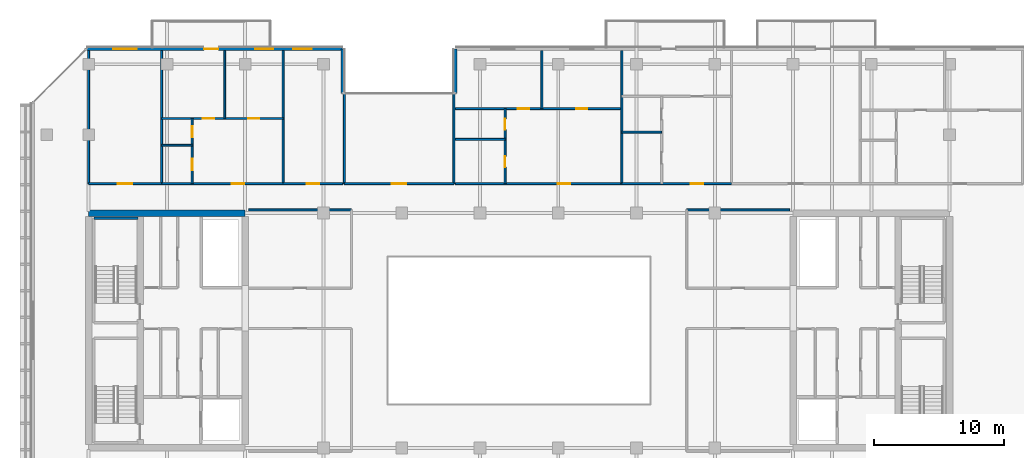
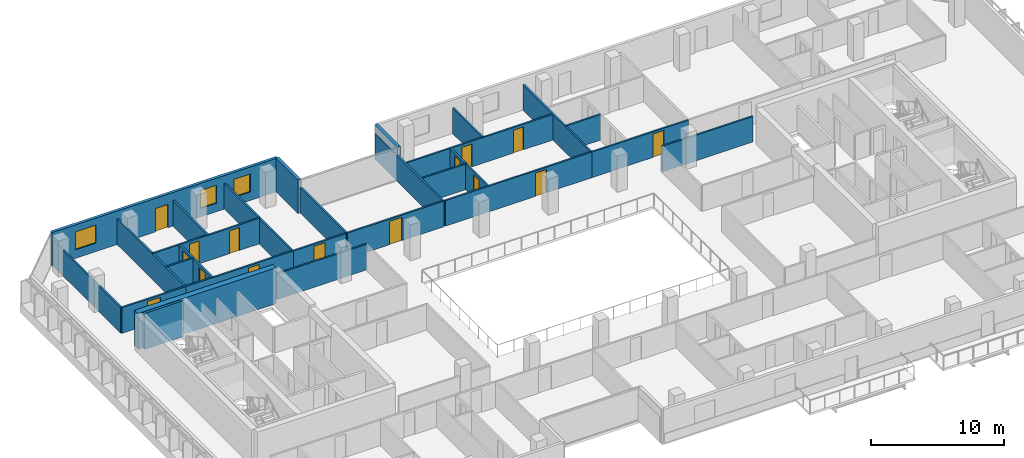
# One storey, part 22 of 29: 28 walls, 15 doors, 3 windows, 18 openings.
"""IFC4 building model written with IfcOpenShell, lengths in metres."""

from ifc_helpers import new_model, si_unit, direction, frame, frame_2d, origin, place, context, subcontext, project, spatial, rectangle, extrude, material, layer, layer_set, type_object, element, fill, save


model = new_model("IFC4")

# Units and contexts
model_context = context("Model", 3, precision=1e-05, world=origin(), true_north=direction((0.0, 1.0)))
body_context = subcontext(model_context, "Body", "Model", "MODEL_VIEW")
ifc_project = project(units=[si_unit("LENGTHUNIT", "METRE"), si_unit("AREAUNIT", "SQUARE_METRE"), si_unit("VOLUMEUNIT", "CUBIC_METRE"), si_unit("PLANEANGLEUNIT", "RADIAN"), si_unit("MASSUNIT", "GRAM", prefix="KILO")], contexts=[model_context])

# Site, building, storey
site_placement = place(None, origin())
site = spatial("IfcSite", under=ifc_project, at=site_placement, CompositionType="ELEMENT")
building_placement = place(site_placement, origin())
building = spatial("IfcBuilding", under=site, at=building_placement, Name="Tanjung Sevakor Pilgrim Tower", CompositionType="ELEMENT")
storey_placement = place(building_placement, frame((0.0, 0.0, 148.5)))
storey = spatial("IfcBuildingStorey", under=building, at=storey_placement, Name="L41", CompositionType="ELEMENT", Elevation=148.5)

# Walls
ifc_material_1 = material(Name="Concrete C60/75", Category="concrete")
ifc_layer_1 = layer(ifc_material_1, 0.5)
ifc_layer_set_1 = layer_set([ifc_layer_1], Name="WALL-CW-500")
wall_type_1 = type_object("IfcWallType", Name="WALL-CW-500", PredefinedType="SHEAR", material=ifc_layer_set_1)
wall_1_placement = place(storey_placement, frame((36.0, 42.60009765625, 0.0), z_axis=(0.0, 0.0, 1.0), x_axis=(-1.0, 0.0, 0.0)))
element("IfcWall", 1, at=wall_1_placement, inside=storey, type_object=wall_type_1, Name="L41 W Core North Shear Wall", PredefinedType="SHEAR", context=body_context, shape_type="SweptSolid", body=[
    extrude(rectangle(XDim=12.0, YDim=0.5, at=frame_2d((6.0, 0.0))), origin(), (0.0, 0.0, 1.0), 3.300048828125),
])
ifc_material_2 = material(Name="Concrete C40/50", Category="concrete")
ifc_layer_2 = layer(ifc_material_2, 0.14990234375)
ifc_layer_set_2 = layer_set([ifc_layer_2], Name="WT-COMP-150")
wall_type_2 = type_object("IfcWallType", Name="WT-COMP-150", PredefinedType="SOLIDWALL", material=ifc_layer_set_2)
for number, where, z_axis, x_axis, name in (
    (2, (36.27001953125, 42.85009765625, 0.0), (0.0, 0.0, 1.0), (1.0, 0.0, 0.0), "L41 Partition IW-L41-037"),
    (3, (69.85009765625, 42.85009765625, 0.0), (0.0, 0.0, 1.0), (1.0, 0.0, 0.0), "L41 Partition IW-L41-043"),
):
    element("IfcWall", number, at=place(storey_placement, frame(where, z_axis=z_axis, x_axis=x_axis)), inside=storey, type_object=wall_type_2, Name=name, PredefinedType="SOLIDWALL", context=body_context, shape_type="SweptSolid", body=[
        extrude(rectangle(XDim=7.8798828125, YDim=0.14990234375, at=frame_2d((3.93994140625, 0.0))), origin(), (0.0, 0.0, 1.0), 2.35009765625),
    ])

# Wall, opening, door
wall_2_placement = place(storey_placement, frame((43.60009765625, 44.85009765625, 0.0), z_axis=(0.0, 0.0, 1.0), x_axis=(1.0, 0.0, 0.0)))
wall_2 = element("IfcWall", 4, at=wall_2_placement, inside=storey, type_object=wall_type_2, Name="L41 Partition IW-L41-048", PredefinedType="SOLIDWALL", context=body_context, shape_type="SweptSolid", body=[
    extrude(rectangle(XDim=8.39990234375, YDim=0.14990234375, at=frame_2d((4.199951171875, 0.0))), origin(), (0.0, 0.0, 1.0), 2.35009765625),
])
opening_1_placement = place(wall_2_placement, frame((3.64990234375, 0.0, 0.0)))
opening_1 = element("IfcOpeningElement", 5, at=opening_1_placement, cuts=wall_2, Name="Opening ID-RM2", PredefinedType="OPENING", context=body_context, shape_type="SweptSolid", body=[
    extrude(rectangle(XDim=1.10009765625, YDim=2.14990234375, at=frame_2d((0.550048828125, 1.074951171875))), frame((0.0, 0.0849609375, 0.0), z_axis=(0.0, -1.0, 0.0), x_axis=(1.0, 0.0, 0.0)), (0.0, 0.0, 1.0), 0.169921875),
])
ifc_material_3 = material(Name="Hardwood Timber", Category="wood")
door_type_1 = type_object("IfcDoorType", Name="DT-INT-1100", OperationType="NOTDEFINED", PredefinedType="DOOR", material=ifc_material_3)
door_1_placement = place(opening_1_placement, origin())
door_1 = element("IfcDoor", 6, at=door_1_placement, inside=storey, type_object=door_type_1, Name="L41 North Cleft Reading Room Door", OperationType="SINGLE_SWING_LEFT", OverallHeight=2.14990234375, OverallWidth=1.10009765625, PredefinedType="DOOR", context=body_context, shape_type="SweptSolid", body=[
    extrude(rectangle(XDim=1.10009765625, YDim=2.14990234375, at=frame_2d((0.550048828125, 1.074951171875))), frame((0.0, 0.02490234375, 0.0), z_axis=(0.0, -1.0, 0.0), x_axis=(1.0, 0.0, 0.0)), (0.0, 0.0, 1.0), 0.050048828125),
])
fill(opening_1, door_1)

# Walls
for number, where, z_axis, x_axis, name in (
    (7, (43.60009765625, 44.85009765625, 0.0), (0.0, 0.0, 1.0), (0.0, 1.0, 0.0), "L41 Partition IW-L41-049"),
    (8, (52.0, 44.85009765625, 0.0), (0.0, 0.0, 1.0), (0.0, 1.0, 0.0), "L41 Partition IW-L41-050"),
    (9, (24.0, 44.85009765625, 0.0), (0.0, 0.0, 1.0), (0.0, 1.0, 0.0), "L41 Partition IW-L41-079"),
    (10, (29.58984375, 44.85009765625, 0.0), (0.0, 0.0, 1.0), (0.0, 1.0, 0.0), "L41 Partition IW-L41-080"),
):
    element("IfcWall", number, at=place(storey_placement, frame(where, z_axis=z_axis, x_axis=x_axis)), inside=storey, type_object=wall_type_2, Name=name, PredefinedType="SOLIDWALL", context=body_context, shape_type="SweptSolid", body=[
        extrude(rectangle(XDim=10.199951171875, YDim=0.14990234375, at=frame_2d((5.10009765625, 0.0))), origin(), (0.0, 0.0, 1.0), 2.35009765625),
    ])

# Wall, opening, door
wall_3_placement = place(storey_placement, frame((24.0, 44.85009765625, 0.0), z_axis=(0.0, 0.0, 1.0), x_axis=(1.0, 0.0, 0.0)))
wall_3 = element("IfcWall", 11, at=wall_3_placement, inside=storey, type_object=wall_type_2, Name="L41 Partition IW-L41-081", PredefinedType="SOLIDWALL", context=body_context, shape_type="SweptSolid", body=[
    extrude(rectangle(XDim=5.58984375, YDim=0.14990234375, at=frame_2d((2.794921875, 0.0))), origin(), (0.0, 0.0, 1.0), 2.35009765625),
])
opening_2_placement = place(wall_3_placement, frame((2.2451171875, 0.0, 0.0)))
opening_2 = element("IfcOpeningElement", 12, at=opening_2_placement, cuts=wall_3, Name="Opening ID-FD0", PredefinedType="OPENING", context=body_context, shape_type="SweptSolid", body=[
    extrude(rectangle(XDim=1.10009765625, YDim=2.14990234375, at=frame_2d((0.550048828125, 1.074951171875))), frame((0.0, 0.0849609375, 0.0), z_axis=(0.0, -1.0, 0.0), x_axis=(1.0, 0.0, 0.0)), (0.0, 0.0, 1.0), 0.169921875),
])
ifc_material_4 = material(Name="Fire-Rated Steel S355J2", Category="steel")
door_type_2 = type_object("IfcDoorType", Name="DT-FIRE-1100", OperationType="NOTDEFINED", PredefinedType="DOOR", material=ifc_material_4)
door_2_placement = place(opening_2_placement, origin())
door_2 = element("IfcDoor", 13, at=door_2_placement, inside=storey, type_object=door_type_2, Name="Seminar Room Door", OperationType="SINGLE_SWING_LEFT", OverallHeight=2.14990234375, OverallWidth=1.10009765625, PredefinedType="DOOR", context=body_context, shape_type="SweptSolid", body=[
    extrude(rectangle(XDim=1.10009765625, YDim=2.14990234375, at=frame_2d((0.550048828125, 1.074951171875))), frame((0.0, 0.02490234375, 0.0), z_axis=(0.0, -1.0, 0.0), x_axis=(1.0, 0.0, 0.0)), (0.0, 0.0, 1.0), 0.050048828125),
])
fill(opening_2, door_2)

# Wall
wall_4_placement = place(storey_placement, frame((38.906494140625, 44.85009765625, 0.0), z_axis=(0.0, 0.0, 1.0), x_axis=(0.0, 1.0, 0.0)))
element("IfcWall", 14, at=wall_4_placement, inside=storey, type_object=wall_type_2, Name="L41 Partition IW-L41-082", PredefinedType="SOLIDWALL", context=body_context, shape_type="SweptSolid", body=[
    extrude(rectangle(XDim=10.199951171875, YDim=0.14990234375, at=frame_2d((5.10009765625, 0.0))), origin(), (0.0, 0.0, 1.0), 2.35009765625),
])

# Wall, opening, door
wall_5_placement = place(storey_placement, frame((29.58984375, 44.85009765625, 0.0), z_axis=(0.0, 0.0, 1.0), x_axis=(1.0, 0.0, 0.0)))
wall_5 = element("IfcWall", 15, at=wall_5_placement, inside=storey, type_object=wall_type_2, Name="L41 Partition IW-L41-087", PredefinedType="SOLIDWALL", context=body_context, shape_type="SweptSolid", body=[
    extrude(rectangle(XDim=9.316650390625, YDim=0.14990234375, at=frame_2d((4.658203125, 0.0))), origin(), (0.0, 0.0, 1.0), 2.35009765625),
])
opening_3_placement = place(wall_5_placement, frame((5.398193359375, 0.0, 0.0)))
opening_3 = element("IfcOpeningElement", 16, at=opening_3_placement, cuts=wall_5, Name="Opening ID-FD2", PredefinedType="OPENING", context=body_context, shape_type="SweptSolid", body=[
    extrude(rectangle(XDim=0.949951171875, YDim=2.14990234375, at=frame_2d((0.47509765625, 1.074951171875))), frame((0.0, 0.0849609375, 0.0), z_axis=(0.0, -1.0, 0.0), x_axis=(1.0, 0.0, 0.0)), (0.0, 0.0, 1.0), 0.169921875),
])
ifc_material_5 = material(Name="Fire-Rated Timber", Category="wood")
door_type_3 = type_object("IfcDoorType", Name="DT-FIRE-950", OperationType="NOTDEFINED", PredefinedType="DOOR", material=ifc_material_5)
door_3_placement = place(opening_3_placement, origin())
door_3 = element("IfcDoor", 17, at=door_3_placement, inside=storey, type_object=door_type_3, Name="Suite Entrance", OperationType="SINGLE_SWING_RIGHT", OverallHeight=2.14990234375, OverallWidth=0.949951171875, PredefinedType="DOOR", context=body_context, shape_type="SweptSolid", body=[
    extrude(rectangle(XDim=0.949951171875, YDim=2.14990234375, at=frame_2d((0.47509765625, 1.074951171875))), frame((0.0, 0.02490234375, 0.0), z_axis=(0.0, -1.0, 0.0), x_axis=(1.0, 0.0, 0.0)), (0.0, 0.0, 1.0), 0.050048828125),
])
fill(opening_3, door_3)

wall_6_placement = place(storey_placement, frame((38.906494140625, 44.85009765625, 0.0), z_axis=(0.0, 0.0, 1.0), x_axis=(1.0, 0.0, 0.0)))
wall_6 = element("IfcWall", 18, at=wall_6_placement, inside=storey, type_object=wall_type_2, Name="L41 Partition IW-L41-088", PredefinedType="SOLIDWALL", context=body_context, shape_type="SweptSolid", body=[
    extrude(rectangle(XDim=4.573486328125, YDim=0.14990234375, at=frame_2d((2.28662109375, 0.0))), origin(), (0.0, 0.0, 1.0), 2.35009765625),
])
opening_4_placement = place(wall_6_placement, frame((1.811767578125, 0.0, 0.0)))
opening_4 = element("IfcOpeningElement", 19, at=opening_4_placement, cuts=wall_6, Name="Opening ID-FD2", PredefinedType="OPENING", context=body_context, shape_type="SweptSolid", body=[
    extrude(rectangle(XDim=0.949951171875, YDim=2.14990234375, at=frame_2d((0.47509765625, 1.074951171875))), frame((0.0, 0.0849609375, 0.0), z_axis=(0.0, -1.0, 0.0), x_axis=(1.0, 0.0, 0.0)), (0.0, 0.0, 1.0), 0.169921875),
])
door_4_placement = place(opening_4_placement, origin())
door_4 = element("IfcDoor", 20, at=door_4_placement, inside=storey, type_object=door_type_3, Name="Study Room Entrance", OperationType="SINGLE_SWING_LEFT", OverallHeight=2.14990234375, OverallWidth=0.949951171875, PredefinedType="DOOR", context=body_context, shape_type="SweptSolid", body=[
    extrude(rectangle(XDim=0.949951171875, YDim=2.14990234375, at=frame_2d((0.47509765625, 1.074951171875))), frame((0.0, 0.02490234375, 0.0), z_axis=(0.0, -1.0, 0.0), x_axis=(1.0, 0.0, 0.0)), (0.0, 0.0, 1.0), 0.050048828125),
])
fill(opening_4, door_4)

# Wall
wall_7_placement = place(storey_placement, frame((64.8740234375, 44.85009765625, 0.0), z_axis=(0.0, 0.0, 1.0), x_axis=(0.0, 1.0, 0.0)))
element("IfcWall", 21, at=wall_7_placement, inside=storey, type_object=wall_type_2, Name="L41 Partition IW-L41-090", PredefinedType="SOLIDWALL", context=body_context, shape_type="SweptSolid", body=[
    extrude(rectangle(XDim=10.199951171875, YDim=0.14990234375, at=frame_2d((5.10009765625, 0.0))), origin(), (0.0, 0.0, 1.0), 2.35009765625),
])

# Wall, opening, door
wall_8_placement = place(storey_placement, frame((52.1201171875, 44.85009765625, 0.0), z_axis=(0.0, 0.0, 1.0), x_axis=(1.0, 0.0, 0.0)))
wall_8 = element("IfcWall", 22, at=wall_8_placement, inside=storey, type_object=wall_type_2, Name="L41 Partition IW-L41-095", PredefinedType="SOLIDWALL", context=body_context, shape_type="SweptSolid", body=[
    extrude(rectangle(XDim=12.75390625, YDim=0.14990234375, at=frame_2d((6.376953125, 0.0))), origin(), (0.0, 0.0, 1.0), 2.35009765625),
])
opening_5_placement = place(wall_8_placement, frame((7.842041015625, 0.0, 0.0)))
opening_5 = element("IfcOpeningElement", 23, at=opening_5_placement, cuts=wall_8, Name="Opening ID-FD2", PredefinedType="OPENING", context=body_context, shape_type="SweptSolid", body=[
    extrude(rectangle(XDim=0.949951171875, YDim=2.14990234375, at=frame_2d((0.47509765625, 1.074951171875))), frame((0.0, 0.0849609375, 0.0), z_axis=(0.0, -1.0, 0.0), x_axis=(1.0, 0.0, 0.0)), (0.0, 0.0, 1.0), 0.169921875),
])
door_5_placement = place(opening_5_placement, origin())
door_5 = element("IfcDoor", 24, at=door_5_placement, inside=storey, type_object=door_type_3, Name="Suite Entrance", OperationType="SINGLE_SWING_RIGHT", OverallHeight=2.14990234375, OverallWidth=0.949951171875, PredefinedType="DOOR", context=body_context, shape_type="SweptSolid", body=[
    extrude(rectangle(XDim=0.949951171875, YDim=2.14990234375, at=frame_2d((0.47509765625, 1.074951171875))), frame((0.0, 0.02490234375, 0.0), z_axis=(0.0, -1.0, 0.0), x_axis=(1.0, 0.0, 0.0)), (0.0, 0.0, 1.0), 0.050048828125),
])
fill(opening_5, door_5)

wall_9_placement = place(storey_placement, frame((64.8740234375, 44.85009765625, 0.0), z_axis=(0.0, 0.0, 1.0), x_axis=(1.0, 0.0, 0.0)))
wall_9 = element("IfcWall", 25, at=wall_9_placement, inside=storey, type_object=wall_type_2, Name="L41 Partition IW-L41-100", PredefinedType="SOLIDWALL", context=body_context, shape_type="SweptSolid", body=[
    extrude(rectangle(XDim=8.40625, YDim=0.14990234375, at=frame_2d((4.203125, 0.0))), origin(), (0.0, 0.0, 1.0), 2.35009765625),
])
opening_6_placement = place(wall_9_placement, frame((5.291015625, 0.0, 0.0)))
opening_6 = element("IfcOpeningElement", 26, at=opening_6_placement, cuts=wall_9, Name="Opening ID-FD2", PredefinedType="OPENING", context=body_context, shape_type="SweptSolid", body=[
    extrude(rectangle(XDim=0.949951171875, YDim=2.14990234375, at=frame_2d((0.47509765625, 1.074951171875))), frame((0.0, 0.0849609375, 0.0), z_axis=(0.0, -1.0, 0.0), x_axis=(1.0, 0.0, 0.0)), (0.0, 0.0, 1.0), 0.169921875),
])
door_6_placement = place(opening_6_placement, origin())
door_6 = element("IfcDoor", 27, at=door_6_placement, inside=storey, type_object=door_type_3, Name="Residence Entrance", OperationType="SINGLE_SWING_RIGHT", OverallHeight=2.14990234375, OverallWidth=0.949951171875, PredefinedType="DOOR", context=body_context, shape_type="SweptSolid", body=[
    extrude(rectangle(XDim=0.949951171875, YDim=2.14990234375, at=frame_2d((0.47509765625, 1.074951171875))), frame((0.0, 0.02490234375, 0.0), z_axis=(0.0, -1.0, 0.0), x_axis=(1.0, 0.0, 0.0)), (0.0, 0.0, 1.0), 0.050048828125),
])
fill(opening_6, door_6)

# Walls
ifc_material_6 = material(Name="Precast concrete C45/55", Category="concrete")
ifc_layer_3 = layer(ifc_material_6, 0.25)
ifc_layer_set_3 = layer_set([ifc_layer_3], Name="WT-EW-STN3")
wall_type_3 = type_object("IfcWallType", Name="WT-EW-STN3", PredefinedType="SOLIDWALL", material=ifc_layer_set_3)
for number, where, z_axis, x_axis, name in (
    (28, (52.125, 55.175048828125, 0.0), (0.0, 0.0, 1.0), (0.0, -1.0, 0.0), "L41 MAIN Exterior Wall 10"),
    (29, (43.47509765625, 51.77490234375, 0.0), (0.0, 0.0, 1.0), (0.0, 1.0, 0.0), "L41 MAIN Exterior Wall 12"),
):
    element("IfcWall", number, at=place(storey_placement, frame(where, z_axis=z_axis, x_axis=x_axis)), inside=storey, type_object=wall_type_3, Name=name, PredefinedType="SOLIDWALL", context=body_context, shape_type="SweptSolid", body=[
        extrude(rectangle(XDim=3.400146484375, YDim=0.25, at=frame_2d((1.7001953125, 0.0))), origin(), (0.0, 0.0, 1.0), 3.080078125),
    ])

# Wall, openings, door, windows
wall_10_placement = place(storey_placement, frame((43.47509765625, 55.175048828125, 0.0), z_axis=(0.0, 0.0, 1.0), x_axis=(-1.0, 0.0, 0.0)))
wall_10 = element("IfcWall", 30, at=wall_10_placement, inside=storey, type_object=wall_type_3, Name="L41 MAIN Exterior Wall 13", PredefinedType="SOLIDWALL", context=body_context, shape_type="SweptSolid", body=[
    extrude(rectangle(XDim=19.623291015625, YDim=0.25, at=frame_2d((9.8115234375, 0.0))), origin(), (0.0, 0.0, 1.0), 3.080078125),
])
opening_7_placement = place(wall_10_placement, frame((9.52490234375, 0.0, 0.0)))
opening_7 = element("IfcOpeningElement", 31, at=opening_7_placement, cuts=wall_10, Name="Opening ED-BAL-1100", PredefinedType="OPENING", context=body_context, shape_type="SweptSolid", body=[
    extrude(rectangle(XDim=1.10009765625, YDim=2.14990234375, at=frame_2d((0.550048828125, 1.074951171875))), frame((0.0, 0.135009765625, 0.0), z_axis=(0.0, -1.0, 0.0), x_axis=(1.0, 0.0, 0.0)), (0.0, 0.0, 1.0), 0.27001953125),
])
opening_8_placement = place(wall_10_placement, frame((15.780029296875, 0.0, 0.780029296875)))
opening_8 = element("IfcOpeningElement", 32, at=opening_8_placement, cuts=wall_10, Name="Opening WN-Z3-1660", PredefinedType="OPENING", context=body_context, shape_type="SweptSolid", body=[
    extrude(rectangle(XDim=1.800048828125, YDim=1.659912109375, at=frame_2d((0.89990234375, 0.830078125))), frame((0.0, 0.135009765625, 0.0), z_axis=(0.0, -1.0, 0.0), x_axis=(1.0, 0.0, 0.0)), (0.0, 0.0, 1.0), 0.27001953125),
])
opening_9_placement = place(wall_10_placement, frame((5.314697265625, 0.0, 0.780029296875)))
opening_9 = element("IfcOpeningElement", 33, at=opening_9_placement, cuts=wall_10, Name="Opening WN-END", PredefinedType="OPENING", context=body_context, shape_type="SweptSolid", body=[
    extrude(rectangle(XDim=1.39990234375, YDim=1.64990234375, at=frame_2d((0.699951171875, 0.824951171875))), frame((0.0, 0.135009765625, 0.0), z_axis=(0.0, -1.0, 0.0), x_axis=(1.0, 0.0, 0.0)), (0.0, 0.0, 1.0), 0.27001953125),
])
opening_10_placement = place(wall_10_placement, frame((2.3818359375, 0.0, 0.780029296875)))
opening_10 = element("IfcOpeningElement", 34, at=opening_10_placement, cuts=wall_10, Name="Opening WN-END", PredefinedType="OPENING", context=body_context, shape_type="SweptSolid", body=[
    extrude(rectangle(XDim=1.39990234375, YDim=1.64990234375, at=frame_2d((0.699951171875, 0.824951171875))), frame((0.0, 0.135009765625, 0.0), z_axis=(0.0, -1.0, 0.0), x_axis=(1.0, 0.0, 0.0)), (0.0, 0.0, 1.0), 0.27001953125),
])
ifc_material_7 = material(Name="Anodised Aluminium and Laminated Glass", Category="aluminium")
door_type_4 = type_object("IfcDoorType", Name="DTYP-ED-BAL-1100", OperationType="NOTDEFINED", PredefinedType="DOOR", material=ifc_material_7)
door_7_placement = place(opening_7_placement, frame((1.10009765625, 0.0, 0.0), z_axis=(0.0, 0.0, 1.0), x_axis=(-1.0, 0.0, 0.0)))
door_7 = element("IfcDoor", 35, at=door_7_placement, inside=storey, type_object=door_type_4, Name="L41 Balcony Door MAIN-N1", OperationType="SINGLE_SWING_LEFT", OverallHeight=2.14990234375, OverallWidth=1.10009765625, PredefinedType="DOOR", context=body_context, shape_type="SweptSolid", body=[
    extrude(rectangle(XDim=1.10009765625, YDim=2.14990234375, at=frame_2d((0.550048828125, 1.074951171875))), frame((0.0, 0.02490234375, 0.0), z_axis=(0.0, -1.0, 0.0), x_axis=(1.0, 0.0, 0.0)), (0.0, 0.0, 1.0), 0.050048828125),
])
fill(opening_7, door_7)
ifc_material_8 = material(Name="Thermally Broken Aluminium and Low-E Glass", Category="aluminium")
window_type_1 = type_object("IfcWindowType", Name="WTYP-WN-END", PartitioningType="SINGLE_PANEL", PredefinedType="WINDOW", material=ifc_material_8)
window_1_placement = place(opening_9_placement, origin())
window_1 = element("IfcWindow", 36, at=window_1_placement, inside=storey, type_object=window_type_1, Name="L41 Facade Window 02", OverallHeight=1.64990234375, OverallWidth=1.39990234375, PartitioningType="SINGLE_PANEL", PredefinedType="WINDOW", context=body_context, shape_type="SweptSolid", body=[
    extrude(rectangle(XDim=1.39990234375, YDim=1.64990234375, at=frame_2d((0.699951171875, 0.824951171875))), frame((0.0, 0.030029296875, 0.0), z_axis=(0.0, -1.0, 0.0), x_axis=(1.0, 0.0, 0.0)), (0.0, 0.0, 1.0), 0.06005859375),
])
fill(opening_9, window_1)
window_2_placement = place(opening_10_placement, origin())
window_2 = element("IfcWindow", 37, at=window_2_placement, inside=storey, type_object=window_type_1, Name="L41 Facade Window 03", OverallHeight=1.64990234375, OverallWidth=1.39990234375, PartitioningType="SINGLE_PANEL", PredefinedType="WINDOW", context=body_context, shape_type="SweptSolid", body=[
    extrude(rectangle(XDim=1.39990234375, YDim=1.64990234375, at=frame_2d((0.699951171875, 0.824951171875))), frame((0.0, 0.030029296875, 0.0), z_axis=(0.0, -1.0, 0.0), x_axis=(1.0, 0.0, 0.0)), (0.0, 0.0, 1.0), 0.06005859375),
])
fill(opening_10, window_2)
ifc_material_9 = material(Name="Thermally Broken Aluminium and Low-E Glass", Category="aluminium")
window_type_2 = type_object("IfcWindowType", Name="WTYP-WN-Z3-1660", PartitioningType="DOUBLE_PANEL_VERTICAL", PredefinedType="WINDOW", material=ifc_material_9)
window_3_placement = place(opening_8_placement, origin())
window_3 = element("IfcWindow", 38, at=window_3_placement, inside=storey, type_object=window_type_2, Name="L41 Facade Window 01", OverallHeight=1.659912109375, OverallWidth=1.800048828125, PartitioningType="SINGLE_PANEL", PredefinedType="WINDOW", context=body_context, shape_type="SweptSolid", body=[
    extrude(rectangle(XDim=1.800048828125, YDim=1.659912109375, at=frame_2d((0.89990234375, 0.830078125))), frame((0.0, 0.030029296875, 0.0), z_axis=(0.0, -1.0, 0.0), x_axis=(1.0, 0.0, 0.0)), (0.0, 0.0, 1.0), 0.06005859375),
])
fill(opening_8, window_3)

# Walls
ifc_material_10 = material(Name="Concrete C40/50", Category="concrete")
ifc_layer_4 = layer(ifc_material_10, 0.199951171875)
ifc_layer_set_4 = layer_set([ifc_layer_4], Name="WT-FIRE-200")
wall_type_4 = type_object("IfcWallType", Name="WT-FIRE-200", PredefinedType="SOLIDWALL", material=ifc_layer_set_4)
wall_11_placement = place(storey_placement, frame((27.800048828125, 42.199951171875, 0.0), z_axis=(0.0, 0.0, 1.0), x_axis=(-1.0, 0.0, 0.0)))
element("IfcWall", 39, at=wall_11_placement, inside=storey, type_object=wall_type_4, Name="L41 TS-W2 Shaft Wall 2", PredefinedType="SOLIDWALL", context=body_context, shape_type="SweptSolid", body=[
    extrude(rectangle(XDim=3.400146484375, YDim=0.199951171875, at=frame_2d((1.7001953125, 0.0))), origin(), (0.0, 0.0, 1.0), 3.300048828125),
])
ifc_material_11 = material(Name="Gypsum Board Partition", Category="gypsum board")
ifc_layer_5 = layer(ifc_material_11, 0.14990234375)
ifc_layer_set_5 = layer_set([ifc_layer_5], Name="WT-PART-150")
wall_type_5 = type_object("IfcWallType", Name="WT-PART-150", PredefinedType="PARTITIONING", material=ifc_layer_set_5)
wall_12_placement = place(storey_placement, frame((29.58984375, 47.800048828125, 0.0), z_axis=(0.0, 0.0, 1.0), x_axis=(1.0, 0.0, 0.0)))
element("IfcWall", 40, at=wall_12_placement, inside=storey, type_object=wall_type_5, Name="L41 Partition IW-L41-083", PredefinedType="PARTITIONING", context=body_context, shape_type="SweptSolid", body=[
    extrude(rectangle(XDim=2.35009765625, YDim=0.14990234375, at=frame_2d((1.175048828125, 0.0))), origin(), (0.0, 0.0, 1.0), 2.35009765625),
])

# Wall, openings, doors
wall_13_placement = place(storey_placement, frame((31.93994140625, 44.85009765625, 0.0), z_axis=(0.0, 0.0, 1.0), x_axis=(0.0, 1.0, 0.0)))
wall_13 = element("IfcWall", 41, at=wall_13_placement, inside=storey, type_object=wall_type_5, Name="L41 Partition IW-L41-084", PredefinedType="PARTITIONING", context=body_context, shape_type="SweptSolid", body=[
    extrude(rectangle(XDim=5.0, YDim=0.14990234375, at=frame_2d((2.5, 0.0))), origin(), (0.0, 0.0, 1.0), 2.35009765625),
])
opening_11_placement = place(wall_13_placement, frame((1.050048828125, 0.0, 0.0)))
opening_11 = element("IfcOpeningElement", 42, at=opening_11_placement, cuts=wall_13, Name="Opening ID-WC1", PredefinedType="OPENING", context=body_context, shape_type="SweptSolid", body=[
    extrude(rectangle(XDim=0.85009765625, YDim=2.10009765625, at=frame_2d((0.425048828125, 1.050048828125))), frame((0.0, 0.0849609375, 0.0), z_axis=(0.0, -1.0, 0.0), x_axis=(1.0, 0.0, 0.0)), (0.0, 0.0, 1.0), 0.169921875),
])
opening_12_placement = place(wall_13_placement, frame((3.550048828125, 0.0, 0.0)))
opening_12 = element("IfcOpeningElement", 43, at=opening_12_placement, cuts=wall_13, Name="Opening ID-WC1", PredefinedType="OPENING", context=body_context, shape_type="SweptSolid", body=[
    extrude(rectangle(XDim=0.85009765625, YDim=2.10009765625, at=frame_2d((0.425048828125, 1.050048828125))), frame((0.0, 0.0849609375, 0.0), z_axis=(0.0, -1.0, 0.0), x_axis=(1.0, 0.0, 0.0)), (0.0, 0.0, 1.0), 0.169921875),
])
ifc_material_12 = material(Name="Moisture-Resistant Timber", Category="wood")
door_type_5 = type_object("IfcDoorType", Name="DT-INT-850", OperationType="NOTDEFINED", PredefinedType="DOOR", material=ifc_material_12)
door_8_placement = place(opening_11_placement, origin())
door_8 = element("IfcDoor", 44, at=door_8_placement, inside=storey, type_object=door_type_5, Name="Suite Kitchenette Door", OperationType="SINGLE_SWING_RIGHT", OverallHeight=2.10009765625, OverallWidth=0.85009765625, PredefinedType="DOOR", context=body_context, shape_type="SweptSolid", body=[
    extrude(rectangle(XDim=0.85009765625, YDim=2.10009765625, at=frame_2d((0.425048828125, 1.050048828125))), frame((0.0, 0.02490234375, 0.0), z_axis=(0.0, -1.0, 0.0), x_axis=(1.0, 0.0, 0.0)), (0.0, 0.0, 1.0), 0.050048828125),
])
fill(opening_11, door_8)
door_9_placement = place(opening_12_placement, origin())
door_9 = element("IfcDoor", 45, at=door_9_placement, inside=storey, type_object=door_type_5, Name="Suite Bathroom Door", OperationType="SINGLE_SWING_LEFT", OverallHeight=2.10009765625, OverallWidth=0.85009765625, PredefinedType="DOOR", context=body_context, shape_type="SweptSolid", body=[
    extrude(rectangle(XDim=0.85009765625, YDim=2.10009765625, at=frame_2d((0.425048828125, 1.050048828125))), frame((0.0, 0.02490234375, 0.0), z_axis=(0.0, -1.0, 0.0), x_axis=(1.0, 0.0, 0.0)), (0.0, 0.0, 1.0), 0.050048828125),
])
fill(opening_12, door_9)

# Wall
wall_14_placement = place(storey_placement, frame((34.4345703125, 49.85009765625, 0.0), z_axis=(0.0, 0.0, 1.0), x_axis=(0.0, 1.0, 0.0)))
element("IfcWall", 46, at=wall_14_placement, inside=storey, type_object=wall_type_5, Name="L41 Partition IW-L41-085", PredefinedType="PARTITIONING", context=body_context, shape_type="SweptSolid", body=[
    extrude(rectangle(XDim=5.199951171875, YDim=0.14990234375, at=frame_2d((2.60009765625, 0.0))), origin(), (0.0, 0.0, 1.0), 2.35009765625),
])

# Wall, openings, doors
wall_15_placement = place(storey_placement, frame((29.58984375, 49.85009765625, 0.0), z_axis=(0.0, 0.0, 1.0), x_axis=(1.0, 0.0, 0.0)))
wall_15 = element("IfcWall", 47, at=wall_15_placement, inside=storey, type_object=wall_type_5, Name="L41 Partition IW-L41-086", PredefinedType="PARTITIONING", context=body_context, shape_type="SweptSolid", body=[
    extrude(rectangle(XDim=9.316650390625, YDim=0.14990234375, at=frame_2d((4.658203125, 0.0))), origin(), (0.0, 0.0, 1.0), 2.35009765625),
])
opening_13_placement = place(wall_15_placement, frame((3.17236328125, 0.0, 0.0)))
opening_13 = element("IfcOpeningElement", 48, at=opening_13_placement, cuts=wall_15, Name="Opening ID-WC1", PredefinedType="OPENING", context=body_context, shape_type="SweptSolid", body=[
    extrude(rectangle(XDim=0.85009765625, YDim=2.10009765625, at=frame_2d((0.425048828125, 1.050048828125))), frame((0.0, 0.0849609375, 0.0), z_axis=(0.0, -1.0, 0.0), x_axis=(1.0, 0.0, 0.0)), (0.0, 0.0, 1.0), 0.169921875),
])
opening_14_placement = place(wall_15_placement, frame((6.655517578125, 0.0, 0.0)))
opening_14 = element("IfcOpeningElement", 49, at=opening_14_placement, cuts=wall_15, Name="Opening ID-WC1", PredefinedType="OPENING", context=body_context, shape_type="SweptSolid", body=[
    extrude(rectangle(XDim=0.85009765625, YDim=2.10009765625, at=frame_2d((0.425048828125, 1.050048828125))), frame((0.0, 0.0849609375, 0.0), z_axis=(0.0, -1.0, 0.0), x_axis=(1.0, 0.0, 0.0)), (0.0, 0.0, 1.0), 0.169921875),
])
door_10_placement = place(opening_13_placement, origin())
door_10 = element("IfcDoor", 50, at=door_10_placement, inside=storey, type_object=door_type_5, Name="Suite Bedroom 1 Door", OperationType="SINGLE_SWING_RIGHT", OverallHeight=2.10009765625, OverallWidth=0.85009765625, PredefinedType="DOOR", context=body_context, shape_type="SweptSolid", body=[
    extrude(rectangle(XDim=0.85009765625, YDim=2.10009765625, at=frame_2d((0.425048828125, 1.050048828125))), frame((0.0, 0.02490234375, 0.0), z_axis=(0.0, -1.0, 0.0), x_axis=(1.0, 0.0, 0.0)), (0.0, 0.0, 1.0), 0.050048828125),
])
fill(opening_13, door_10)
door_11_placement = place(opening_14_placement, origin())
door_11 = element("IfcDoor", 51, at=door_11_placement, inside=storey, type_object=door_type_5, Name="Suite Bedroom 2 Door", OperationType="SINGLE_SWING_LEFT", OverallHeight=2.10009765625, OverallWidth=0.85009765625, PredefinedType="DOOR", context=body_context, shape_type="SweptSolid", body=[
    extrude(rectangle(XDim=0.85009765625, YDim=2.10009765625, at=frame_2d((0.425048828125, 1.050048828125))), frame((0.0, 0.02490234375, 0.0), z_axis=(0.0, -1.0, 0.0), x_axis=(1.0, 0.0, 0.0)), (0.0, 0.0, 1.0), 0.050048828125),
])
fill(opening_14, door_11)

# Wall
wall_16_placement = place(storey_placement, frame((52.1201171875, 48.24365234375, 0.0), z_axis=(0.0, 0.0, 1.0), x_axis=(1.0, 0.0, 0.0)))
element("IfcWall", 52, at=wall_16_placement, inside=storey, type_object=wall_type_5, Name="L41 Partition IW-L41-091", PredefinedType="PARTITIONING", context=body_context, shape_type="SweptSolid", body=[
    extrude(rectangle(XDim=3.7998046875, YDim=0.14990234375, at=frame_2d((1.89990234375, 0.0))), origin(), (0.0, 0.0, 1.0), 2.35009765625),
])

# Wall, openings, doors
wall_17_placement = place(storey_placement, frame((55.919921875, 44.85009765625, 0.0), z_axis=(0.0, 0.0, 1.0), x_axis=(0.0, 1.0, 0.0)))
wall_17 = element("IfcWall", 53, at=wall_17_placement, inside=storey, type_object=wall_type_5, Name="L41 Partition IW-L41-092", PredefinedType="PARTITIONING", context=body_context, shape_type="SweptSolid", body=[
    extrude(rectangle(XDim=5.751708984375, YDim=0.14990234375, at=frame_2d((2.8759765625, 0.0))), origin(), (0.0, 0.0, 1.0), 2.35009765625),
])
opening_15_placement = place(wall_17_placement, frame((1.271728515625, 0.0, 0.0)))
opening_15 = element("IfcOpeningElement", 54, at=opening_15_placement, cuts=wall_17, Name="Opening ID-WC1", PredefinedType="OPENING", context=body_context, shape_type="SweptSolid", body=[
    extrude(rectangle(XDim=0.85009765625, YDim=2.10009765625, at=frame_2d((0.425048828125, 1.050048828125))), frame((0.0, 0.0849609375, 0.0), z_axis=(0.0, -1.0, 0.0), x_axis=(1.0, 0.0, 0.0)), (0.0, 0.0, 1.0), 0.169921875),
])
opening_16_placement = place(wall_17_placement, frame((4.147705078125, 0.0, 0.0)))
opening_16 = element("IfcOpeningElement", 55, at=opening_16_placement, cuts=wall_17, Name="Opening ID-WC1", PredefinedType="OPENING", context=body_context, shape_type="SweptSolid", body=[
    extrude(rectangle(XDim=0.85009765625, YDim=2.10009765625, at=frame_2d((0.425048828125, 1.050048828125))), frame((0.0, 0.0849609375, 0.0), z_axis=(0.0, -1.0, 0.0), x_axis=(1.0, 0.0, 0.0)), (0.0, 0.0, 1.0), 0.169921875),
])
door_12_placement = place(opening_15_placement, origin())
door_12 = element("IfcDoor", 56, at=door_12_placement, inside=storey, type_object=door_type_5, Name="Suite Kitchenette Door", OperationType="SINGLE_SWING_RIGHT", OverallHeight=2.10009765625, OverallWidth=0.85009765625, PredefinedType="DOOR", context=body_context, shape_type="SweptSolid", body=[
    extrude(rectangle(XDim=0.85009765625, YDim=2.10009765625, at=frame_2d((0.425048828125, 1.050048828125))), frame((0.0, 0.02490234375, 0.0), z_axis=(0.0, -1.0, 0.0), x_axis=(1.0, 0.0, 0.0)), (0.0, 0.0, 1.0), 0.050048828125),
])
fill(opening_15, door_12)
door_13_placement = place(opening_16_placement, origin())
door_13 = element("IfcDoor", 57, at=door_13_placement, inside=storey, type_object=door_type_5, Name="Suite Bathroom Door", OperationType="SINGLE_SWING_LEFT", OverallHeight=2.10009765625, OverallWidth=0.85009765625, PredefinedType="DOOR", context=body_context, shape_type="SweptSolid", body=[
    extrude(rectangle(XDim=0.85009765625, YDim=2.10009765625, at=frame_2d((0.425048828125, 1.050048828125))), frame((0.0, 0.02490234375, 0.0), z_axis=(0.0, -1.0, 0.0), x_axis=(1.0, 0.0, 0.0)), (0.0, 0.0, 1.0), 0.050048828125),
])
fill(opening_16, door_13)

# Wall
wall_18_placement = place(storey_placement, frame((58.752197265625, 50.601806640625, 0.0), z_axis=(0.0, 0.0, 1.0), x_axis=(0.0, 1.0, 0.0)))
element("IfcWall", 58, at=wall_18_placement, inside=storey, type_object=wall_type_5, Name="L41 Partition IW-L41-093", PredefinedType="PARTITIONING", context=body_context, shape_type="SweptSolid", body=[
    extrude(rectangle(XDim=4.4482421875, YDim=0.14990234375, at=frame_2d((2.22412109375, 0.0))), origin(), (0.0, 0.0, 1.0), 2.35009765625),
])

# Wall, openings, doors
wall_19_placement = place(storey_placement, frame((52.1201171875, 50.601806640625, 0.0), z_axis=(0.0, 0.0, 1.0), x_axis=(1.0, 0.0, 0.0)))
wall_19 = element("IfcWall", 59, at=wall_19_placement, inside=storey, type_object=wall_type_5, Name="L41 Partition IW-L41-094", PredefinedType="PARTITIONING", context=body_context, shape_type="SweptSolid", body=[
    extrude(rectangle(XDim=12.75390625, YDim=0.14990234375, at=frame_2d((6.376953125, 0.0))), origin(), (0.0, 0.0, 1.0), 2.35009765625),
])
opening_17_placement = place(wall_19_placement, frame((4.791015625, 0.0, 0.0)))
opening_17 = element("IfcOpeningElement", 60, at=opening_17_placement, cuts=wall_19, Name="Opening ID-WC1", PredefinedType="OPENING", context=body_context, shape_type="SweptSolid", body=[
    extrude(rectangle(XDim=0.85009765625, YDim=2.10009765625, at=frame_2d((0.425048828125, 1.050048828125))), frame((0.0, 0.0849609375, 0.0), z_axis=(0.0, -1.0, 0.0), x_axis=(1.0, 0.0, 0.0)), (0.0, 0.0, 1.0), 0.169921875),
])
opening_18_placement = place(wall_19_placement, frame((9.26806640625, 0.0, 0.0)))
opening_18 = element("IfcOpeningElement", 61, at=opening_18_placement, cuts=wall_19, Name="Opening ID-WC1", PredefinedType="OPENING", context=body_context, shape_type="SweptSolid", body=[
    extrude(rectangle(XDim=0.85009765625, YDim=2.10009765625, at=frame_2d((0.425048828125, 1.050048828125))), frame((0.0, 0.0849609375, 0.0), z_axis=(0.0, -1.0, 0.0), x_axis=(1.0, 0.0, 0.0)), (0.0, 0.0, 1.0), 0.169921875),
])
door_14_placement = place(opening_17_placement, origin())
door_14 = element("IfcDoor", 62, at=door_14_placement, inside=storey, type_object=door_type_5, Name="Suite Bedroom 1 Door", OperationType="SINGLE_SWING_RIGHT", OverallHeight=2.10009765625, OverallWidth=0.85009765625, PredefinedType="DOOR", context=body_context, shape_type="SweptSolid", body=[
    extrude(rectangle(XDim=0.85009765625, YDim=2.10009765625, at=frame_2d((0.425048828125, 1.050048828125))), frame((0.0, 0.02490234375, 0.0), z_axis=(0.0, -1.0, 0.0), x_axis=(1.0, 0.0, 0.0)), (0.0, 0.0, 1.0), 0.050048828125),
])
fill(opening_17, door_14)
door_15_placement = place(opening_18_placement, origin())
door_15 = element("IfcDoor", 63, at=door_15_placement, inside=storey, type_object=door_type_5, Name="Suite Bedroom 2 Door", OperationType="SINGLE_SWING_LEFT", OverallHeight=2.10009765625, OverallWidth=0.85009765625, PredefinedType="DOOR", context=body_context, shape_type="SweptSolid", body=[
    extrude(rectangle(XDim=0.85009765625, YDim=2.10009765625, at=frame_2d((0.425048828125, 1.050048828125))), frame((0.0, 0.02490234375, 0.0), z_axis=(0.0, -1.0, 0.0), x_axis=(1.0, 0.0, 0.0)), (0.0, 0.0, 1.0), 0.050048828125),
])
fill(opening_18, door_15)

# Wall
wall_20_placement = place(storey_placement, frame((64.8740234375, 48.797607421875, 0.0), z_axis=(0.0, 0.0, 1.0), x_axis=(1.0, 0.0, 0.0)))
element("IfcWall", 64, at=wall_20_placement, inside=storey, type_object=wall_type_5, Name="L41 Partition IW-L41-097", PredefinedType="PARTITIONING", context=body_context, shape_type="SweptSolid", body=[
    extrude(rectangle(XDim=3.0458984375, YDim=0.14990234375, at=frame_2d((1.52294921875, 0.0))), origin(), (0.0, 0.0, 1.0), 2.35009765625),
])

save(model, "model.ifc")
